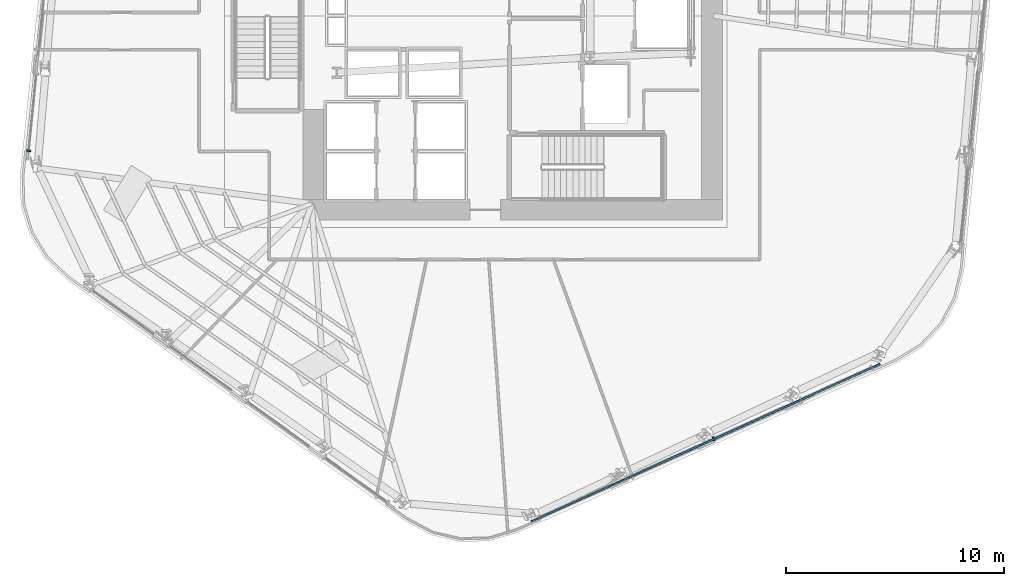
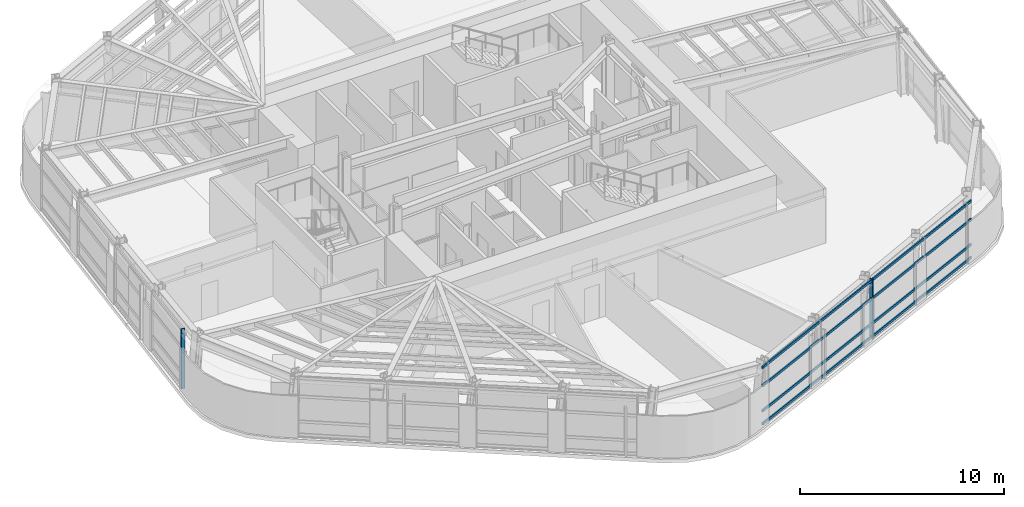
# One storey, part 3 of 16: 6 members, 2 elements without a shape of their own.
"""IFC4 building model written with IfcOpenShell, lengths in metres."""

from ifc_helpers import new_model, si_unit, direction, frame, origin, origin_2d, place, context, subcontext, project, spatial, rectangle, extrude, material, layer, layer_set, material_profile, profile_set, type_object, element, aggregate, save


model = new_model("IFC4")

# Units and contexts
model_context = context("Model", 3, precision=1e-05, world=origin(), true_north=direction((0.0, 1.0)))
body_context = subcontext(model_context, "Body", "Model", "MODEL_VIEW")
ifc_project = project(units=[si_unit("LENGTHUNIT", "METRE"), si_unit("AREAUNIT", "SQUARE_METRE"), si_unit("VOLUMEUNIT", "CUBIC_METRE"), si_unit("PLANEANGLEUNIT", "RADIAN"), si_unit("MASSUNIT", "GRAM", prefix="KILO")], contexts=[model_context])

# Site, building, storey
site_placement = place(None, origin())
site = spatial("IfcSite", under=ifc_project, at=site_placement, CompositionType="ELEMENT")
building_placement = place(site_placement, origin())
building = spatial("IfcBuilding", under=site, at=building_placement, Name="Valkerne Bourse Tower", CompositionType="ELEMENT")
storey_placement = place(building_placement, frame((0.0, 0.0, 127.60009765625)))
storey = spatial("IfcBuildingStorey", under=building, at=storey_placement, Name="L32", CompositionType="ELEMENT", Elevation=127.60009765625)

# Curtain wall, member
ifc_material = material(Name="Aluminium AA 6063-T6", Category="aluminium")
ifc_layer = layer(ifc_material, 0.22998046875)
ifc_layer_set = layer_set([ifc_layer], Name="Aluminium AA 6063-T6")
curtain_wall_type = type_object("IfcCurtainWallType", Name="CW-02", PredefinedType="NOTDEFINED", material=ifc_layer_set)
curtain_wall_1_placement = place(storey_placement, origin())
curtain_wall_1 = element("IfcCurtainWall", 1, at=curtain_wall_1_placement, inside=storey, type_object=curtain_wall_type, Name="L32 Hexagonal Stick Curtain Wall Face 3", PredefinedType="NOTDEFINED")
ifc_material_profile_1 = material_profile(ifc_material, rectangle(XDim=0.074951171875, YDim=0.199951171875, at=origin_2d()), Name="CWM-75X200")
ifc_profile_set_1 = profile_set([ifc_material_profile_1], Name="Aluminium AA 6063-T6")
member_type_1 = type_object("IfcMemberType", Name="CW-MUL-220X75", PredefinedType="MULLION", material=ifc_profile_set_1)
member_1_placement = place(storey_placement, frame((24.6494140625, 20.823486328125, 0.0), z_axis=(0.0, 0.0, 1.0), x_axis=(-0.099316222871, -0.995055921984, 0.0)))
member_1 = element("IfcMember", 2, at=member_1_placement, type_object=member_type_1, Name="CW-L32-F3 Jamb Mullion 03B", PredefinedType="MULLION", context=body_context, shape_type="SweptSolid", body=[
    extrude(rectangle(XDim=0.074951171875, YDim=0.199951171875, at=origin_2d()), origin(), (0.0, 0.0, 1.0), 3.579833984375),
])
aggregate(curtain_wall_1, [member_1])

# Curtain wall, members
curtain_wall_2_placement = place(storey_placement, origin())
curtain_wall_2 = element("IfcCurtainWall", 3, at=curtain_wall_2_placement, inside=storey, type_object=curtain_wall_type, Name="L32 Hexagonal Stick Curtain Wall Face 5", PredefinedType="NOTDEFINED")
member_2_placement = place(storey_placement, frame((56.00048828125, 7.6435546875, 0.0), z_axis=(0.0, 0.0, 1.0), x_axis=(0.911401240965, 0.411518867086, 0.0)))
member_2 = element("IfcMember", 4, at=member_2_placement, type_object=member_type_1, Name="CW-L32-F5 Jamb Mullion 02A", PredefinedType="MULLION", context=body_context, shape_type="SweptSolid", body=[
    extrude(rectangle(XDim=0.074951171875, YDim=0.199951171875, at=origin_2d()), origin(), (0.0, 0.0, 1.0), 3.579833984375),
])
ifc_material_profile_2 = material_profile(ifc_material, rectangle(XDim=0.074951171875, YDim=0.14990234375, at=origin_2d()), Name="CWT-75X150")
ifc_profile_set_2 = profile_set([ifc_material_profile_2], Name="Aluminium AA 6063-T6")
member_type_2 = type_object("IfcMemberType", Name="CW-TRN-180X65", PredefinedType="USERDEFINED", material=ifc_profile_set_2)
member_3_placement = place(storey_placement, frame((47.63671875, 3.84521484375, 0.119873046875), z_axis=(0.911405139206, 0.411510233444, 0.0), x_axis=(-0.411510233444, 0.911405139206, 0.0)))
member_3 = element("IfcMember", 5, at=member_3_placement, type_object=member_type_2, Name="CW-L32-F5 Continuous Face Transom 1", ObjectType="TRANSOM", PredefinedType="USERDEFINED", context=body_context, shape_type="SweptSolid", body=[
    extrude(rectangle(XDim=0.074951171875, YDim=0.14990234375, at=origin_2d()), origin(), (0.0, 0.0, 1.0), 17.531982421875),
])
member_4_placement = place(storey_placement, frame((47.63671875, 3.84521484375, 0.89990234375), z_axis=(0.911405139206, 0.411510233444, 0.0), x_axis=(-0.411510233444, 0.911405139206, 0.0)))
member_4 = element("IfcMember", 6, at=member_4_placement, type_object=member_type_2, Name="CW-L32-F5 Continuous Face Transom 2", ObjectType="TRANSOM", PredefinedType="USERDEFINED", context=body_context, shape_type="SweptSolid", body=[
    extrude(rectangle(XDim=0.074951171875, YDim=0.14990234375, at=origin_2d()), origin(), (0.0, 0.0, 1.0), 17.531982421875),
])
member_5_placement = place(storey_placement, frame((47.63671875, 3.84521484375, 2.39990234375), z_axis=(0.911405139206, 0.411510233444, 0.0), x_axis=(-0.411510233444, 0.911405139206, 0.0)))
member_5 = element("IfcMember", 7, at=member_5_placement, type_object=member_type_2, Name="CW-L32-F5 Continuous Face Transom 3", ObjectType="TRANSOM", PredefinedType="USERDEFINED", context=body_context, shape_type="SweptSolid", body=[
    extrude(rectangle(XDim=0.074951171875, YDim=0.14990234375, at=origin_2d()), origin(), (0.0, 0.0, 1.0), 17.531982421875),
])
member_6_placement = place(storey_placement, frame((47.63671875, 3.84521484375, 3.5), z_axis=(0.911405139206, 0.411510233444, 0.0), x_axis=(-0.411510233444, 0.911405139206, 0.0)))
member_6 = element("IfcMember", 8, at=member_6_placement, type_object=member_type_2, Name="CW-L32-F5 Continuous Face Transom 4", ObjectType="TRANSOM", PredefinedType="USERDEFINED", context=body_context, shape_type="SweptSolid", body=[
    extrude(rectangle(XDim=0.074951171875, YDim=0.14990234375, at=origin_2d()), origin(), (0.0, 0.0, 1.0), 17.531982421875),
])
aggregate(curtain_wall_2, [member_3, member_4, member_5, member_6, member_2])

save(model, "model.ifc")
